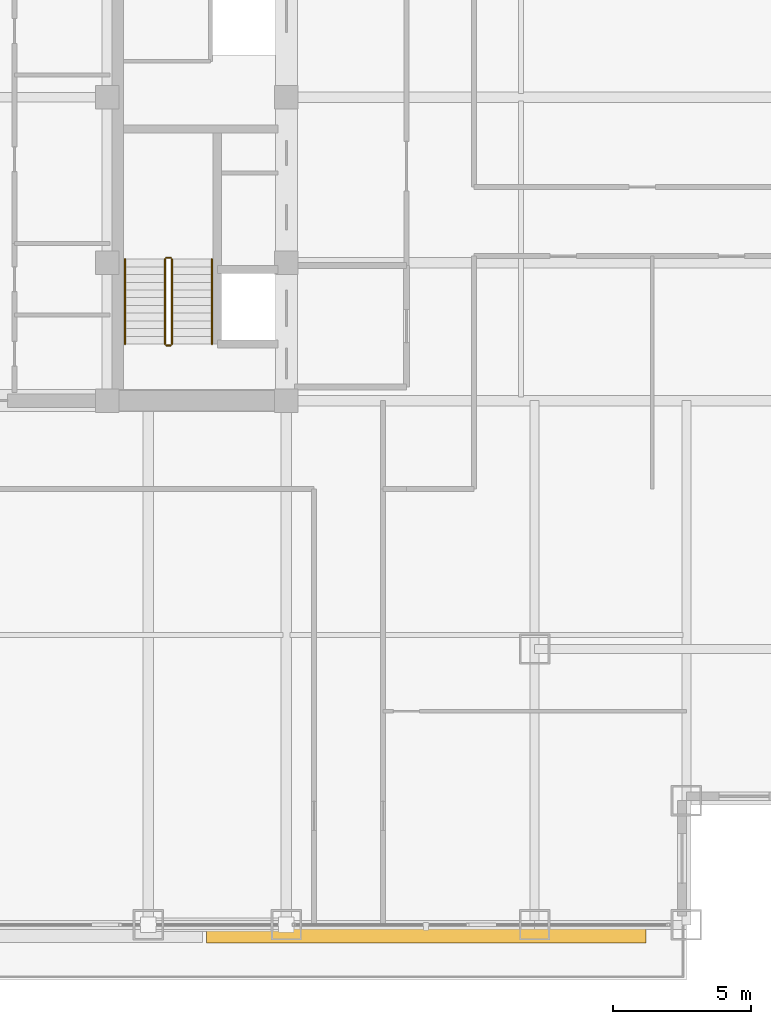
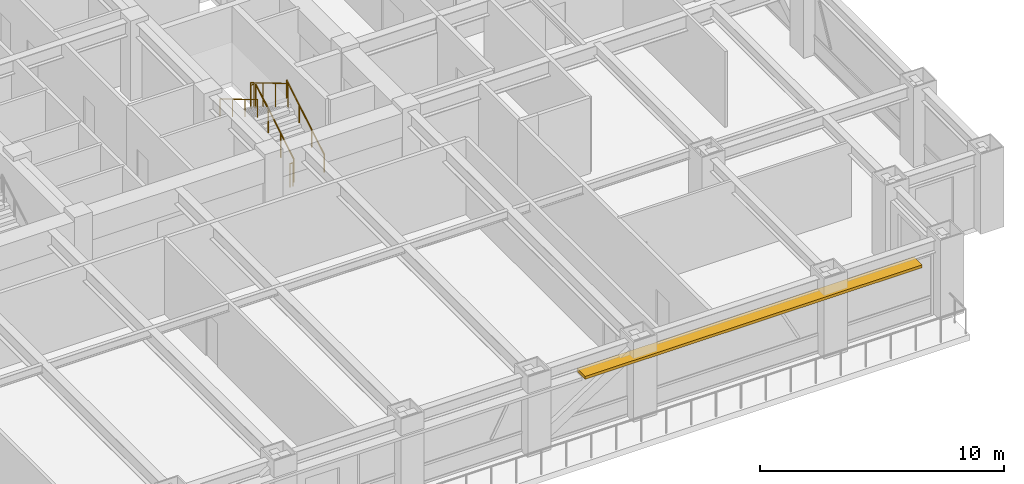
# One storey, part 33 of 35: 6 railings, 1 shading device.
"""IFC4 building model written with IfcOpenShell, lengths in metres."""

from ifc_helpers import new_model, si_unit, direction, frame, origin, origin_2d, place, context, subcontext, project, spatial, rectangle, circle, extrude, source, transform, mapped, material, layer, layer_set, type_object, element, save


model = new_model("IFC4")

# Units and contexts
model_context = context("Model", 3, precision=1e-05, world=origin(), true_north=direction((0.0, 1.0)))
body_context = subcontext(model_context, "Body", "Model", "MODEL_VIEW")
ifc_project = project(units=[si_unit("LENGTHUNIT", "METRE"), si_unit("AREAUNIT", "SQUARE_METRE"), si_unit("VOLUMEUNIT", "CUBIC_METRE"), si_unit("PLANEANGLEUNIT", "RADIAN"), si_unit("MASSUNIT", "GRAM", prefix="KILO")], contexts=[model_context])

# Site, building, storey
site_placement = place(None, origin())
site = spatial("IfcSite", under=ifc_project, at=site_placement, CompositionType="ELEMENT")
building_placement = place(site_placement, origin())
building = spatial("IfcBuilding", under=site, at=building_placement, Name="Khorayat Bourse Tower", CompositionType="ELEMENT")
storey_placement = place(building_placement, frame((0.0, 0.0, 155.10009765625)))
storey = spatial("IfcBuildingStorey", under=building, at=storey_placement, Name="L35", CompositionType="ELEMENT", Elevation=155.10009765625)

# Shading device
ifc_material_1 = material(Name="Precast concrete C45/55", Category="concrete")
ifc_layer = layer(ifc_material_1, 0.139892578125)
ifc_layer_set = layer_set([ifc_layer], Name="Precast concrete C45/55")
shading_device_type = type_object("IfcShadingDeviceType", Name="SHD-WAVE-TRAY-B", PredefinedType="USERDEFINED", material=ifc_layer_set)
shared_shape_1 = source(origin(), body_context, "Body", "SweptSolid", [
    extrude(rectangle(XDim=15.9267578125, YDim=0.67138671875, at=origin_2d()), origin(), (0.0, 0.0, 1.0), 0.139892578125),
])
shading_device_placement = place(storey_placement, frame((16.066650390625, -30.31591796875, 3.02978515625), z_axis=(0.0, 0.0, 1.0), x_axis=(1.0, 0.0, 0.0)))
element("IfcShadingDevice", 1, at=shading_device_placement, inside=storey, type_object=shading_device_type, Name="L35 Sinusoidal Wave Sunshade Tray S-3", ObjectType="SUNSHADE", PredefinedType="USERDEFINED", context=body_context, shape_type="MappedRepresentation", body=[
    mapped(shared_shape_1, transform((0.0, 0.0, 0.0), scale=1.0)),
])

# Railings
ifc_material_2 = material(Name="Powder-coated steel balustrade", Category="steel")
railing_type_1 = type_object("IfcRailingType", Name="RLG-GUARD-1200", PredefinedType="GUARDRAIL", material=ifc_material_2)
shared_shape_2 = source(origin(), body_context, "Body", "SweptSolid", [
    extrude(circle(Radius=0.02392578125, at=origin_2d()), frame((0.0, 0.0, 1.17578125), z_axis=(-1.0, 0.0, 0.0), x_axis=(0.0, -1.0, 0.0)), (0.0, 0.0, 1.0), 0.150146484375),
    extrude(circle(Radius=0.02099609375, at=origin_2d()), origin(), (0.0, 0.0, 1.0), 1.15185546875),
    extrude(circle(Radius=0.02099609375, at=origin_2d()), frame((-0.150146484375, 0.0, 0.0)), (0.0, 0.0, 1.0), 1.15185546875),
])
for number, where, name in (
    (2, (6.800048828125, -5.820068359375, 2.0), "L35 ST-3 stair guard 2"),
    (3, (6.800048828125, -9.0, 0.0), "L35 ST-3 stair guard 4"),
):
    element("IfcRailing", number, at=place(storey_placement, frame(where)), inside=storey, type_object=railing_type_1, Name=name, PredefinedType="GUARDRAIL", context=body_context, shape_type="MappedRepresentation", body=[
        mapped(shared_shape_2, transform((0.0, 0.0, 0.0), scale=1.0)),
    ])
shared_shape_3 = source(origin(), body_context, "Body", "SweptSolid", [
    extrude(circle(Radius=0.02392578125, at=origin_2d()), frame((0.0, 0.0, 1.17578125), z_axis=(0.0, 0.859260807169, 0.511537745687), x_axis=(-1.0, 0.0, 0.0)), (0.0, 0.0, 1.0), 3.584228515625),
    extrude(circle(Radius=0.02099609375, at=origin_2d()), origin(), (0.0, 0.0, 1.0), 1.15185546875),
    extrude(circle(Radius=0.02099609375, at=origin_2d()), frame((0.0, 1.026611328125, 0.611083984375)), (0.0, 0.0, 1.0), 1.15185546875),
    extrude(circle(Radius=0.02099609375, at=origin_2d()), frame((0.0, 2.05322265625, 1.222412109375)), (0.0, 0.0, 1.0), 1.15185546875),
    extrude(circle(Radius=0.02099609375, at=origin_2d()), frame((0.0, 3.079833984375, 1.83349609375)), (0.0, 0.0, 1.0), 1.15185546875),
])
railing_1_placement = place(storey_placement, frame((6.85009765625, -8.949951171875, 0.16650390625)))
element("IfcRailing", 4, at=railing_1_placement, inside=storey, type_object=railing_type_1, Name="L35 ST-3 stair guard 1", PredefinedType="GUARDRAIL", context=body_context, shape_type="MappedRepresentation", body=[
    mapped(shared_shape_3, transform((0.0, 0.0, 0.0), scale=1.0)),
])
shared_shape_4 = source(origin(), body_context, "Body", "SweptSolid", [
    extrude(circle(Radius=0.02392578125, at=origin_2d()), frame((0.0, 0.0, 1.17578125), z_axis=(0.0, -0.859260807169, 0.511537745687), x_axis=(1.0, 0.0, 0.0)), (0.0, 0.0, 1.0), 3.584228515625),
    extrude(circle(Radius=0.02099609375, at=origin_2d()), origin(), (0.0, 0.0, 1.0), 1.15185546875),
    extrude(circle(Radius=0.02099609375, at=origin_2d()), frame((0.0, -1.026611328125, 0.611083984375)), (0.0, 0.0, 1.0), 1.15185546875),
    extrude(circle(Radius=0.02099609375, at=origin_2d()), frame((0.0, -2.05322265625, 1.222412109375)), (0.0, 0.0, 1.0), 1.15185546875),
    extrude(circle(Radius=0.02099609375, at=origin_2d()), frame((0.0, -3.079833984375, 1.83349609375)), (0.0, 0.0, 1.0), 1.15185546875),
])
railing_2_placement = place(storey_placement, frame((6.60009765625, -5.8701171875, 2.16650390625)))
element("IfcRailing", 5, at=railing_2_placement, inside=storey, type_object=railing_type_1, Name="L35 ST-3 stair guard 3", PredefinedType="GUARDRAIL", context=body_context, shape_type="MappedRepresentation", body=[
    mapped(shared_shape_4, transform((0.0, 0.0, 0.0), scale=1.0)),
])
ifc_material_3 = material(Name="Brushed bronze stainless-steel handrail", Category="steel")
railing_type_2 = type_object("IfcRailingType", Name="RLG-HAND-900", PredefinedType="HANDRAIL", material=ifc_material_3)
shared_shape_5 = source(origin(), body_context, "Body", "SweptSolid", [
    extrude(circle(Radius=0.02392578125, at=origin_2d()), frame((0.0, 0.0, 0.8759765625), z_axis=(0.0, 0.859260807169, 0.511537745687), x_axis=(-1.0, 0.0, 0.0)), (0.0, 0.0, 1.0), 3.584228515625),
    extrude(circle(Radius=0.02099609375, at=origin_2d()), origin(), (0.0, 0.0, 1.0), 0.851806640625),
    extrude(circle(Radius=0.02099609375, at=origin_2d()), frame((0.0, 1.026611328125, 0.611083984375)), (0.0, 0.0, 1.0), 0.851806640625),
    extrude(circle(Radius=0.02099609375, at=origin_2d()), frame((0.0, 2.05322265625, 1.222412109375)), (0.0, 0.0, 1.0), 0.851806640625),
    extrude(circle(Radius=0.02099609375, at=origin_2d()), frame((0.0, 3.079833984375, 1.83349609375)), (0.0, 0.0, 1.0), 0.851806640625),
])
railing_3_placement = place(storey_placement, frame((8.300048828125, -8.949951171875, 0.16650390625)))
element("IfcRailing", 6, at=railing_3_placement, inside=storey, type_object=railing_type_2, Name="L35 ST-3 stair handrail 1", PredefinedType="HANDRAIL", context=body_context, shape_type="MappedRepresentation", body=[
    mapped(shared_shape_5, transform((0.0, 0.0, 0.0), scale=1.0)),
])
shared_shape_6 = source(origin(), body_context, "Body", "SweptSolid", [
    extrude(circle(Radius=0.02392578125, at=origin_2d()), frame((0.0, 0.0, 0.8759765625), z_axis=(0.0, -0.859260807169, 0.511537745687), x_axis=(1.0, 0.0, 0.0)), (0.0, 0.0, 1.0), 3.584228515625),
    extrude(circle(Radius=0.02099609375, at=origin_2d()), origin(), (0.0, 0.0, 1.0), 0.851806640625),
    extrude(circle(Radius=0.02099609375, at=origin_2d()), frame((0.0, -1.026611328125, 0.611083984375)), (0.0, 0.0, 1.0), 0.851806640625),
    extrude(circle(Radius=0.02099609375, at=origin_2d()), frame((0.0, -2.05322265625, 1.222412109375)), (0.0, 0.0, 1.0), 0.851806640625),
    extrude(circle(Radius=0.02099609375, at=origin_2d()), frame((0.0, -3.079833984375, 1.83349609375)), (0.0, 0.0, 1.0), 0.851806640625),
])
railing_4_placement = place(storey_placement, frame((5.14990234375, -5.8701171875, 2.16650390625)))
element("IfcRailing", 7, at=railing_4_placement, inside=storey, type_object=railing_type_2, Name="L35 ST-3 stair handrail 2", PredefinedType="HANDRAIL", context=body_context, shape_type="MappedRepresentation", body=[
    mapped(shared_shape_6, transform((0.0, 0.0, 0.0), scale=1.0)),
])

save(model, "model.ifc")
